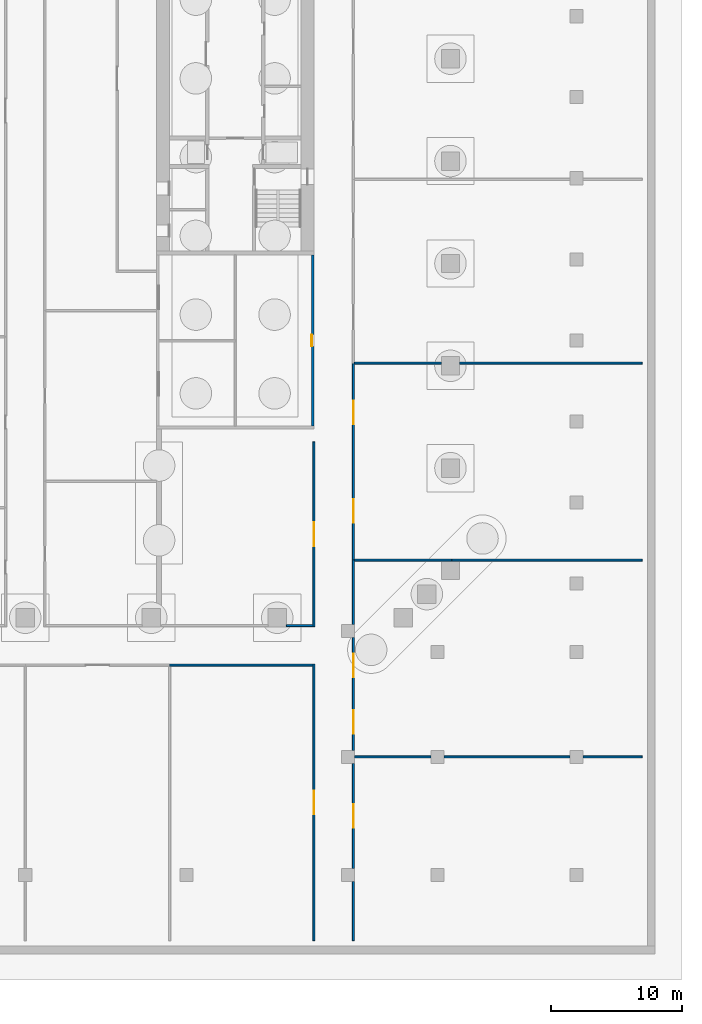
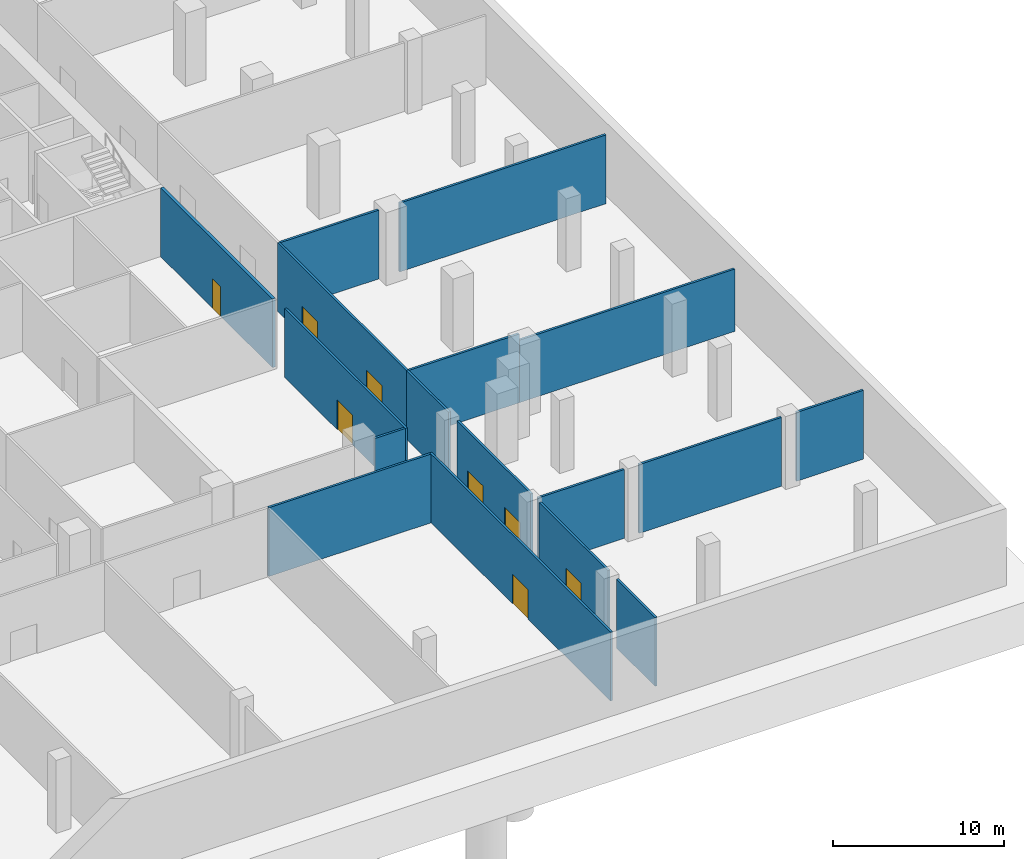
# One storey, part 7 of 14: 17 walls, 8 doors, 8 openings.
"""IFC4 building model written with IfcOpenShell, lengths in metres."""

from ifc_helpers import new_model, si_unit, direction, frame, frame_2d, origin, place, context, subcontext, project, spatial, rectangle, extrude, material, layer, layer_set, type_object, element, fill, save


model = new_model("IFC4")

# Units and contexts
model_context = context("Model", 3, precision=1e-05, world=origin(), true_north=direction((0.0, 1.0)))
body_context = subcontext(model_context, "Body", "Model", "MODEL_VIEW")
ifc_project = project(units=[si_unit("LENGTHUNIT", "METRE"), si_unit("AREAUNIT", "SQUARE_METRE"), si_unit("VOLUMEUNIT", "CUBIC_METRE"), si_unit("PLANEANGLEUNIT", "RADIAN"), si_unit("MASSUNIT", "GRAM", prefix="KILO")], contexts=[model_context])

# Site, building, storey
site_placement = place(None, origin())
site = spatial("IfcSite", under=ifc_project, at=site_placement, CompositionType="ELEMENT")
building_placement = place(site_placement, origin())
building = spatial("IfcBuilding", under=site, at=building_placement, Name="Ogive Exchange Tower", CompositionType="ELEMENT")
storey_placement = place(building_placement, frame((0.0, 0.0, -10.39990234375)))
storey = spatial("IfcBuildingStorey", under=building, at=storey_placement, Name="B2", CompositionType="ELEMENT", Elevation=-10.39990234375)

# Walls
ifc_material_1 = material(Name="Fire partition EI 60 150")
ifc_layer_1 = layer(ifc_material_1, 0.14990234375)
ifc_layer_set_1 = layer_set([ifc_layer_1], Name="Fire partition EI 60 150")
wall_type_1 = type_object("IfcWallType", Name="Fire partition EI 60 150", PredefinedType="PARTITIONING", material=ifc_layer_set_1)
wall_1_placement = place(storey_placement, frame((25.10009765625, -41.0, 0.0), z_axis=(0.0, 0.0, 1.0), x_axis=(1.0, 0.0, 0.0)))
element("IfcWall", 1, at=wall_1_placement, inside=storey, type_object=wall_type_1, Name="B2-PWL-003", PredefinedType="PARTITIONING", context=body_context, shape_type="SweptSolid", body=[
    extrude(rectangle(XDim=5.7998046875, YDim=0.14990234375, at=frame_2d((2.89990234375, 0.0))), origin(), (0.0, 0.0, 1.0), 4.89990234375),
])
wall_2_placement = place(storey_placement, frame((31.89990234375, -41.0, 0.0), z_axis=(0.0, 0.0, 1.0), x_axis=(1.0, 0.0, 0.0)))
element("IfcWall", 2, at=wall_2_placement, inside=storey, type_object=wall_type_1, Name="B2-PWL-004", PredefinedType="PARTITIONING", context=body_context, shape_type="SweptSolid", body=[
    extrude(rectangle(XDim=9.60009765625, YDim=0.14990234375, at=frame_2d((4.800048828125, 0.0))), origin(), (0.0, 0.0, 1.0), 4.89990234375),
])
wall_3_placement = place(storey_placement, frame((42.5, -41.0, 0.0), z_axis=(0.0, 0.0, 1.0), x_axis=(1.0, 0.0, 0.0)))
element("IfcWall", 3, at=wall_3_placement, inside=storey, type_object=wall_type_1, Name="B2-PWL-005", PredefinedType="PARTITIONING", context=body_context, shape_type="SweptSolid", body=[
    extrude(rectangle(XDim=4.5, YDim=0.14990234375, at=frame_2d((2.25, 0.0))), origin(), (0.0, 0.0, 1.0), 4.89990234375),
])
wall_4_placement = place(storey_placement, frame((11.0, -34.0, 0.0), z_axis=(0.0, 0.0, 1.0), x_axis=(1.0, 0.0, 0.0)))
element("IfcWall", 4, at=wall_4_placement, inside=storey, type_object=wall_type_1, Name="B2-PWL-009", PredefinedType="PARTITIONING", context=body_context, shape_type="SweptSolid", body=[
    extrude(rectangle(XDim=10.925048828125, YDim=0.14990234375, at=frame_2d((5.46240234375, 0.0))), origin(), (0.0, 0.0, 1.0), 4.89990234375),
])
wall_5_placement = place(storey_placement, frame((19.89990234375, -31.0, 0.0), z_axis=(0.0, 0.0, 1.0), x_axis=(1.0, 0.0, 0.0)))
element("IfcWall", 5, at=wall_5_placement, inside=storey, type_object=wall_type_1, Name="B2-PWL-017", PredefinedType="PARTITIONING", context=body_context, shape_type="SweptSolid", body=[
    extrude(rectangle(XDim=2.025146484375, YDim=0.14990234375, at=frame_2d((1.0126953125, 0.0))), origin(), (0.0, 0.0, 1.0), 4.89990234375),
])
wall_6_placement = place(storey_placement, frame((25.074951171875, -26.0, 0.0), z_axis=(0.0, 0.0, 1.0), x_axis=(1.0, 0.0, 0.0)))
element("IfcWall", 6, at=wall_6_placement, inside=storey, type_object=wall_type_1, Name="B2-PWL-018", PredefinedType="PARTITIONING", context=body_context, shape_type="SweptSolid", body=[
    extrude(rectangle(XDim=7.41064453125, YDim=0.14990234375, at=frame_2d((3.705322265625, 0.0))), origin(), (0.0, 0.0, 1.0), 4.89990234375),
])
wall_7_placement = place(storey_placement, frame((25.074951171875, -11.0, 0.0), z_axis=(0.0, 0.0, 1.0), x_axis=(1.0, 0.0, 0.0)))
element("IfcWall", 7, at=wall_7_placement, inside=storey, type_object=wall_type_1, Name="B2-PWL-022", PredefinedType="PARTITIONING", context=body_context, shape_type="SweptSolid", body=[
    extrude(rectangle(XDim=6.625, YDim=0.14990234375, at=frame_2d((3.3125, 0.0))), origin(), (0.0, 0.0, 1.0), 4.89990234375),
])
wall_8_placement = place(storey_placement, frame((33.10009765625, -11.0, 0.0), z_axis=(0.0, 0.0, 1.0), x_axis=(1.0, 0.0, 0.0)))
element("IfcWall", 8, at=wall_8_placement, inside=storey, type_object=wall_type_1, Name="B2-PWL-023", PredefinedType="PARTITIONING", context=body_context, shape_type="SweptSolid", body=[
    extrude(rectangle(XDim=13.89990234375, YDim=0.14990234375, at=frame_2d((6.949951171875, 0.0))), origin(), (0.0, 0.0, 1.0), 4.89990234375),
])

# Wall, opening, door
wall_9_placement = place(storey_placement, frame((22.0, -55.0, 0.0), z_axis=(0.0, 0.0, 1.0), x_axis=(0.0, 1.0, 0.0)))
wall_9 = element("IfcWall", 9, at=wall_9_placement, inside=storey, type_object=wall_type_1, Name="B2-PWL-064", PredefinedType="PARTITIONING", context=body_context, shape_type="SweptSolid", body=[
    extrude(rectangle(XDim=21.074951171875, YDim=0.14990234375, at=frame_2d((10.53759765625, 0.0))), origin(), (0.0, 0.0, 1.0), 4.89990234375),
])
opening_1_placement = place(wall_9_placement, frame((9.637451171875, 0.0, 0.0)))
opening_1 = element("IfcOpeningElement", 10, at=opening_1_placement, cuts=wall_9, Name="Opening B2-I31", PredefinedType="OPENING", context=body_context, shape_type="SweptSolid", body=[
    extrude(rectangle(XDim=1.800048828125, YDim=2.10009765625, at=frame_2d((0.89990234375, 1.050048828125))), frame((0.0, 0.0849609375, 0.0), z_axis=(0.0, -1.0, 0.0), x_axis=(1.0, 0.0, 0.0)), (0.0, 0.0, 1.0), 0.169921875),
])
ifc_material_2 = material(Name="Fire door FD 30S 1800 x 2100")
door_type_1 = type_object("IfcDoorType", Name="Fire door FD 30S 1800 x 2100", OperationType="DOUBLE_DOOR_SINGLE_SWING", PredefinedType="DOOR", material=ifc_material_2)
door_1_placement = place(opening_1_placement, origin())
door_1 = element("IfcDoor", 11, at=door_1_placement, inside=storey, type_object=door_type_1, Name="B2-IDR-031", ObjectType="DT4", OperationType="SINGLE_SWING_RIGHT", OverallHeight=2.10009765625, OverallWidth=1.800048828125, PredefinedType="DOOR", context=body_context, shape_type="SweptSolid", body=[
    extrude(rectangle(XDim=1.800048828125, YDim=2.10009765625, at=frame_2d((0.89990234375, 1.050048828125))), frame((0.0, 0.02490234375, 0.0), z_axis=(0.0, -1.0, 0.0), x_axis=(1.0, 0.0, 0.0)), (0.0, 0.0, 1.0), 0.050048828125),
])
fill(opening_1, door_1)

wall_10_placement = place(storey_placement, frame((22.0, -31.074951171875, 0.0), z_axis=(0.0, 0.0, 1.0), x_axis=(0.0, 1.0, 0.0)))
wall_10 = element("IfcWall", 12, at=wall_10_placement, inside=storey, type_object=wall_type_1, Name="B2-PWL-065", PredefinedType="PARTITIONING", context=body_context, shape_type="SweptSolid", body=[
    extrude(rectangle(XDim=14.074951171875, YDim=0.14990234375, at=frame_2d((7.03759765625, 0.0))), origin(), (0.0, 0.0, 1.0), 4.89990234375),
])
opening_2_placement = place(wall_10_placement, frame((6.137451171875, 0.0, 0.0)))
opening_2 = element("IfcOpeningElement", 13, at=opening_2_placement, cuts=wall_10, Name="Opening B2-I27", PredefinedType="OPENING", context=body_context, shape_type="SweptSolid", body=[
    extrude(rectangle(XDim=1.800048828125, YDim=2.10009765625, at=frame_2d((0.89990234375, 1.050048828125))), frame((0.0, 0.0849609375, 0.0), z_axis=(0.0, -1.0, 0.0), x_axis=(1.0, 0.0, 0.0)), (0.0, 0.0, 1.0), 0.169921875),
])
door_2_placement = place(opening_2_placement, frame((1.800048828125, 0.0, 0.0), z_axis=(0.0, 0.0, 1.0), x_axis=(-1.0, 0.0, 0.0)))
door_2 = element("IfcDoor", 14, at=door_2_placement, inside=storey, type_object=door_type_1, Name="B2-IDR-027", ObjectType="DT4", OperationType="SINGLE_SWING_LEFT", OverallHeight=2.10009765625, OverallWidth=1.800048828125, PredefinedType="DOOR", context=body_context, shape_type="SweptSolid", body=[
    extrude(rectangle(XDim=1.800048828125, YDim=2.10009765625, at=frame_2d((0.89990234375, 1.050048828125))), frame((0.0, 0.02490234375, 0.0), z_axis=(0.0, -1.0, 0.0), x_axis=(1.0, 0.0, 0.0)), (0.0, 0.0, 1.0), 0.050048828125),
])
fill(opening_2, door_2)

# Wall
wall_11_placement = place(storey_placement, frame((25.0, -55.0, 0.0), z_axis=(0.0, 0.0, 1.0), x_axis=(0.0, 1.0, 0.0)))
element("IfcWall", 15, at=wall_11_placement, inside=storey, type_object=wall_type_1, Name="B2-PWL-067", PredefinedType="PARTITIONING", context=body_context, shape_type="SweptSolid", body=[
    extrude(rectangle(XDim=4.5, YDim=0.14990234375, at=frame_2d((2.25, 0.0))), origin(), (0.0, 0.0, 1.0), 4.89990234375),
])

# Wall, opening, door
wall_12_placement = place(storey_placement, frame((25.0, -49.5, 0.0), z_axis=(0.0, 0.0, 1.0), x_axis=(0.0, 1.0, 0.0)))
wall_12 = element("IfcWall", 16, at=wall_12_placement, inside=storey, type_object=wall_type_1, Name="B2-PWL-068", PredefinedType="PARTITIONING", context=body_context, shape_type="SweptSolid", body=[
    extrude(rectangle(XDim=8.0, YDim=0.14990234375, at=frame_2d((4.0, 0.0))), origin(), (0.0, 0.0, 1.0), 4.89990234375),
])
opening_3_placement = place(wall_12_placement, frame((3.10009765625, 0.0, 0.0)))
opening_3 = element("IfcOpeningElement", 17, at=opening_3_placement, cuts=wall_12, Name="Opening B2-I09", PredefinedType="OPENING", context=body_context, shape_type="SweptSolid", body=[
    extrude(rectangle(XDim=1.800048828125, YDim=2.10009765625, at=frame_2d((0.89990234375, 1.050048828125))), frame((0.0, 0.0849609375, 0.0), z_axis=(0.0, -1.0, 0.0), x_axis=(1.0, 0.0, 0.0)), (0.0, 0.0, 1.0), 0.169921875),
])
door_3_placement = place(opening_3_placement, origin())
door_3 = element("IfcDoor", 18, at=door_3_placement, inside=storey, type_object=door_type_1, Name="B2-IDR-009", ObjectType="DT4", OperationType="SINGLE_SWING_LEFT", OverallHeight=2.10009765625, OverallWidth=1.800048828125, PredefinedType="DOOR", context=body_context, shape_type="SweptSolid", body=[
    extrude(rectangle(XDim=1.800048828125, YDim=2.10009765625, at=frame_2d((0.89990234375, 1.050048828125))), frame((0.0, 0.02490234375, 0.0), z_axis=(0.0, -1.0, 0.0), x_axis=(1.0, 0.0, 0.0)), (0.0, 0.0, 1.0), 0.050048828125),
])
fill(opening_3, door_3)

# Wall, openings, doors
wall_13_placement = place(storey_placement, frame((25.0, -40.5, 0.0), z_axis=(0.0, 0.0, 1.0), x_axis=(0.0, 1.0, 0.0)))
wall_13 = element("IfcWall", 19, at=wall_13_placement, inside=storey, type_object=wall_type_1, Name="B2-PWL-069", PredefinedType="PARTITIONING", context=body_context, shape_type="SweptSolid", body=[
    extrude(rectangle(XDim=8.60009765625, YDim=0.14990234375, at=frame_2d((4.300048828125, 0.0))), origin(), (0.0, 0.0, 1.0), 4.89990234375),
])
opening_4_placement = place(wall_13_placement, frame((1.25, 0.0, 0.0)))
opening_4 = element("IfcOpeningElement", 20, at=opening_4_placement, cuts=wall_13, Name="Opening B2-I10", PredefinedType="OPENING", context=body_context, shape_type="SweptSolid", body=[
    extrude(rectangle(XDim=1.800048828125, YDim=2.10009765625, at=frame_2d((0.89990234375, 1.050048828125))), frame((0.0, 0.0849609375, 0.0), z_axis=(0.0, -1.0, 0.0), x_axis=(1.0, 0.0, 0.0)), (0.0, 0.0, 1.0), 0.169921875),
])
opening_5_placement = place(wall_13_placement, frame((5.550048828125, 0.0, 0.0)))
opening_5 = element("IfcOpeningElement", 21, at=opening_5_placement, cuts=wall_13, Name="Opening B2-I11", PredefinedType="OPENING", context=body_context, shape_type="SweptSolid", body=[
    extrude(rectangle(XDim=1.800048828125, YDim=2.10009765625, at=frame_2d((0.89990234375, 1.050048828125))), frame((0.0, 0.0849609375, 0.0), z_axis=(0.0, -1.0, 0.0), x_axis=(1.0, 0.0, 0.0)), (0.0, 0.0, 1.0), 0.169921875),
])
door_4_placement = place(opening_4_placement, origin())
door_4 = element("IfcDoor", 22, at=door_4_placement, inside=storey, type_object=door_type_1, Name="B2-IDR-010", ObjectType="DT4", OperationType="SINGLE_SWING_RIGHT", OverallHeight=2.10009765625, OverallWidth=1.800048828125, PredefinedType="DOOR", context=body_context, shape_type="SweptSolid", body=[
    extrude(rectangle(XDim=1.800048828125, YDim=2.10009765625, at=frame_2d((0.89990234375, 1.050048828125))), frame((0.0, 0.02490234375, 0.0), z_axis=(0.0, -1.0, 0.0), x_axis=(1.0, 0.0, 0.0)), (0.0, 0.0, 1.0), 0.050048828125),
])
fill(opening_4, door_4)
door_5_placement = place(opening_5_placement, origin())
door_5 = element("IfcDoor", 23, at=door_5_placement, inside=storey, type_object=door_type_1, Name="B2-IDR-011", ObjectType="DT4", OperationType="SINGLE_SWING_RIGHT", OverallHeight=2.10009765625, OverallWidth=1.800048828125, PredefinedType="DOOR", context=body_context, shape_type="SweptSolid", body=[
    extrude(rectangle(XDim=1.800048828125, YDim=2.10009765625, at=frame_2d((0.89990234375, 1.050048828125))), frame((0.0, 0.02490234375, 0.0), z_axis=(0.0, -1.0, 0.0), x_axis=(1.0, 0.0, 0.0)), (0.0, 0.0, 1.0), 0.050048828125),
])
fill(opening_5, door_5)

# Wall
wall_14_placement = place(storey_placement, frame((25.0, -30.89990234375, 0.0), z_axis=(0.0, 0.0, 1.0), x_axis=(0.0, 1.0, 0.0)))
element("IfcWall", 24, at=wall_14_placement, inside=storey, type_object=wall_type_1, Name="B2-PWL-070", PredefinedType="PARTITIONING", context=body_context, shape_type="SweptSolid", body=[
    extrude(rectangle(XDim=4.89990234375, YDim=0.14990234375, at=frame_2d((2.449951171875, 0.0))), origin(), (0.0, 0.0, 1.0), 4.89990234375),
])

# Wall, openings, doors
wall_15_placement = place(storey_placement, frame((25.0, -26.0, 0.0), z_axis=(0.0, 0.0, 1.0), x_axis=(0.0, 1.0, 0.0)))
wall_15 = element("IfcWall", 25, at=wall_15_placement, inside=storey, type_object=wall_type_1, Name="B2-PWL-071", PredefinedType="PARTITIONING", context=body_context, shape_type="SweptSolid", body=[
    extrude(rectangle(XDim=15.0, YDim=0.14990234375, at=frame_2d((7.5, 0.0))), origin(), (0.0, 0.0, 1.0), 4.89990234375),
])
opening_6_placement = place(wall_15_placement, frame((2.85009765625, 0.0, 0.0)))
opening_6 = element("IfcOpeningElement", 26, at=opening_6_placement, cuts=wall_15, Name="Opening B2-I12", PredefinedType="OPENING", context=body_context, shape_type="SweptSolid", body=[
    extrude(rectangle(XDim=1.800048828125, YDim=2.10009765625, at=frame_2d((0.89990234375, 1.050048828125))), frame((0.0, 0.0849609375, 0.0), z_axis=(0.0, -1.0, 0.0), x_axis=(1.0, 0.0, 0.0)), (0.0, 0.0, 1.0), 0.169921875),
])
opening_7_placement = place(wall_15_placement, frame((10.35009765625, 0.0, 0.0)))
opening_7 = element("IfcOpeningElement", 27, at=opening_7_placement, cuts=wall_15, Name="Opening B2-I13", PredefinedType="OPENING", context=body_context, shape_type="SweptSolid", body=[
    extrude(rectangle(XDim=1.800048828125, YDim=2.10009765625, at=frame_2d((0.89990234375, 1.050048828125))), frame((0.0, 0.0849609375, 0.0), z_axis=(0.0, -1.0, 0.0), x_axis=(1.0, 0.0, 0.0)), (0.0, 0.0, 1.0), 0.169921875),
])
door_6_placement = place(opening_6_placement, origin())
door_6 = element("IfcDoor", 28, at=door_6_placement, inside=storey, type_object=door_type_1, Name="B2-IDR-012", ObjectType="DT4", OperationType="SINGLE_SWING_RIGHT", OverallHeight=2.10009765625, OverallWidth=1.800048828125, PredefinedType="DOOR", context=body_context, shape_type="SweptSolid", body=[
    extrude(rectangle(XDim=1.800048828125, YDim=2.10009765625, at=frame_2d((0.89990234375, 1.050048828125))), frame((0.0, 0.02490234375, 0.0), z_axis=(0.0, -1.0, 0.0), x_axis=(1.0, 0.0, 0.0)), (0.0, 0.0, 1.0), 0.050048828125),
])
fill(opening_6, door_6)
door_7_placement = place(opening_7_placement, origin())
door_7 = element("IfcDoor", 29, at=door_7_placement, inside=storey, type_object=door_type_1, Name="B2-IDR-013", ObjectType="DT4", OperationType="SINGLE_SWING_RIGHT", OverallHeight=2.10009765625, OverallWidth=1.800048828125, PredefinedType="DOOR", context=body_context, shape_type="SweptSolid", body=[
    extrude(rectangle(XDim=1.800048828125, YDim=2.10009765625, at=frame_2d((0.89990234375, 1.050048828125))), frame((0.0, 0.02490234375, 0.0), z_axis=(0.0, -1.0, 0.0), x_axis=(1.0, 0.0, 0.0)), (0.0, 0.0, 1.0), 0.050048828125),
])
fill(opening_7, door_7)

# Wall
wall_16_placement = place(storey_placement, frame((32.485595703125, -26.0, 0.0), z_axis=(0.0, 0.0, 1.0), x_axis=(1.0, 0.0, 0.0)))
element("IfcWall", 30, at=wall_16_placement, inside=storey, type_object=wall_type_1, Name="B2-PWL-018", PredefinedType="PARTITIONING", context=body_context, shape_type="SweptSolid", body=[
    extrude(rectangle(XDim=14.514404296875, YDim=0.14990234375, at=frame_2d((7.25732421875, 0.0))), origin(), (0.0, 0.0, 1.0), 4.44287109375),
])

# Wall, opening, door
ifc_material_3 = material(Name="Concrete C70/85", Category="concrete")
ifc_layer_2 = layer(ifc_material_3, 0.199951171875)
ifc_layer_set_2 = layer_set([ifc_layer_2], Name="RC core wall 200 C70/85")
wall_type_2 = type_object("IfcWallType", Name="RC core wall 200 C70/85", PredefinedType="SHEAR", material=ifc_layer_set_2)
wall_17_placement = place(storey_placement, frame((21.89990234375, -15.800048828125, 0.0), z_axis=(0.0, 0.0, 1.0), x_axis=(0.0, 1.0, 0.0)))
wall_17 = element("IfcWall", 31, at=wall_17_placement, inside=storey, type_object=wall_type_2, Name="E annex S outer wall", PredefinedType="SHEAR", context=body_context, shape_type="SweptSolid", body=[
    extrude(rectangle(XDim=13.050048828125, YDim=0.199951171875, at=frame_2d((6.52490234375, 0.0))), origin(), (0.0, 0.0, 1.0), 4.89990234375),
])
opening_8_placement = place(wall_17_placement, frame((6.074951171875, 0.0, 0.0)))
opening_8 = element("IfcOpeningElement", 32, at=opening_8_placement, cuts=wall_17, Name="Opening B2-C29", PredefinedType="OPENING", context=body_context, shape_type="SweptSolid", body=[
    extrude(rectangle(XDim=0.89990234375, YDim=2.10009765625, at=frame_2d((0.449951171875, 1.050048828125))), frame((0.0, 0.10986328125, 0.0), z_axis=(0.0, -1.0, 0.0), x_axis=(1.0, 0.0, 0.0)), (0.0, 0.0, 1.0), 0.219970703125),
])
ifc_material_4 = material(Name="Steel fire door", Category="steel")
door_type_2 = type_object("IfcDoorType", Name="Riser door FD60 900 x 2100", OperationType="NOTDEFINED", PredefinedType="DOOR", material=ifc_material_4)
door_8_placement = place(opening_8_placement, origin())
door_8 = element("IfcDoor", 33, at=door_8_placement, inside=storey, type_object=door_type_2, Name="Riser door", ObjectType="CD2", OperationType="SINGLE_SWING_LEFT", OverallHeight=2.10009765625, OverallWidth=0.89990234375, PredefinedType="DOOR", context=body_context, shape_type="SweptSolid", body=[
    extrude(rectangle(XDim=0.89990234375, YDim=2.10009765625, at=frame_2d((0.449951171875, 1.050048828125))), frame((0.0, 0.10009765625, 0.0), z_axis=(0.0, -1.0, 0.0), x_axis=(1.0, 0.0, 0.0)), (0.0, 0.0, 1.0), 0.050048828125),
])
fill(opening_8, door_8)

save(model, "model.ifc")
